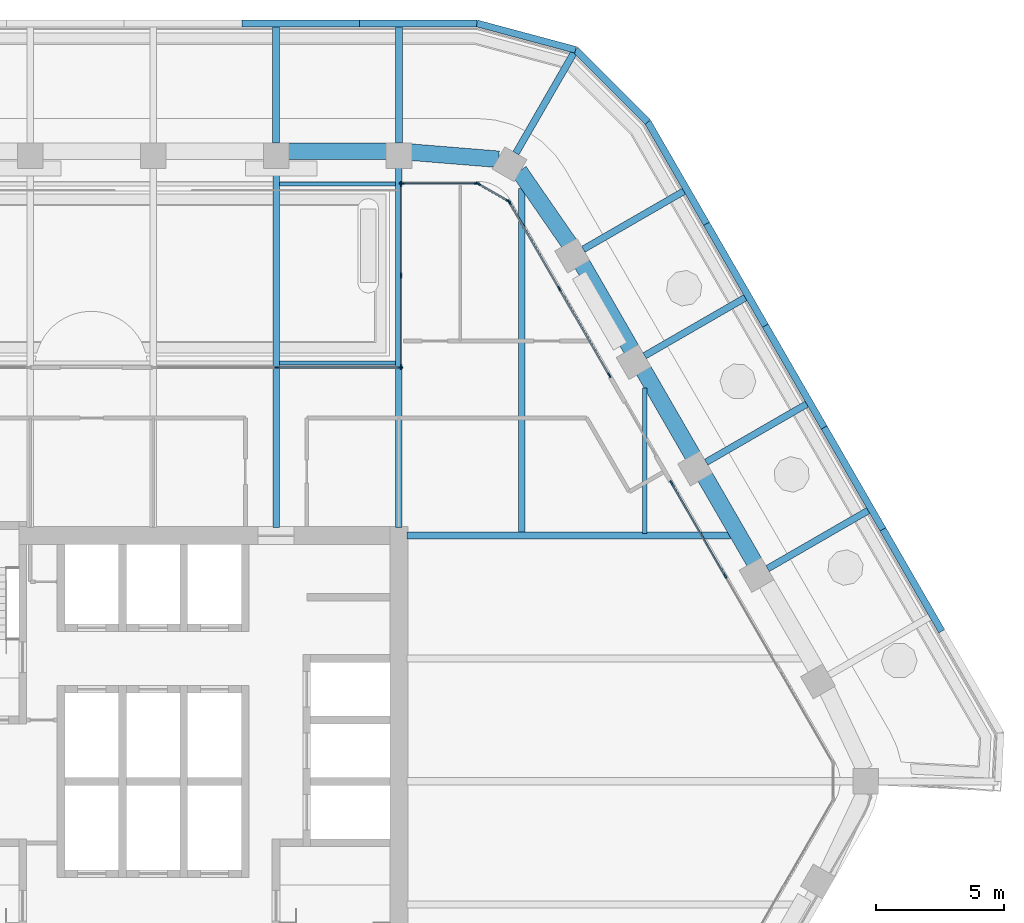
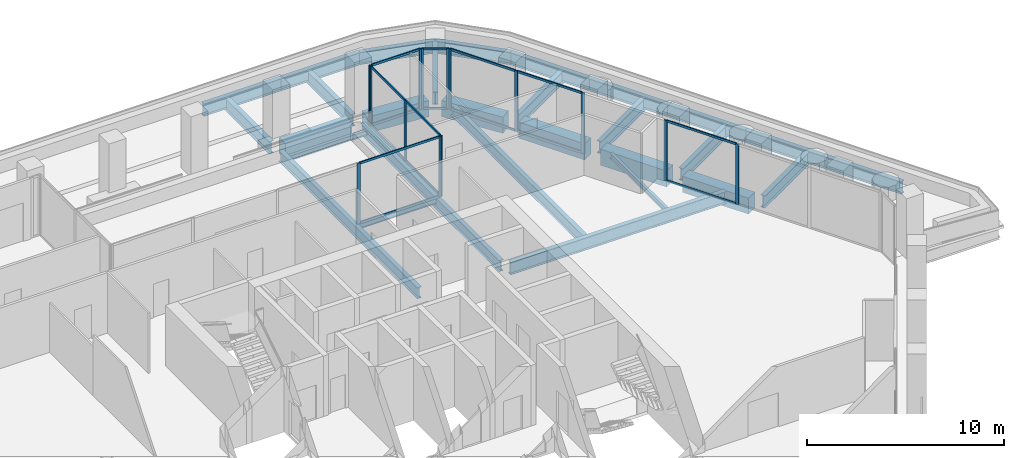
# One storey, part 7 of 17: 30 members, 29 beams, 6 elements without a shape of their own.
"""IFC4 building model written with IfcOpenShell, lengths in metres."""

from ifc_helpers import new_model, si_unit, direction, frame, origin, origin_2d, place, context, subcontext, project, spatial, rectangle, i_section, extrude, material, material_profile, profile_set, type_object, element, aggregate, save


model = new_model("IFC4")

# Units and contexts
model_context = context("Model", 3, precision=1e-05, world=origin(), true_north=direction((0.0, 1.0)))
body_context = subcontext(model_context, "Body", "Model", "MODEL_VIEW")
ifc_project = project(units=[si_unit("LENGTHUNIT", "METRE"), si_unit("AREAUNIT", "SQUARE_METRE"), si_unit("VOLUMEUNIT", "CUBIC_METRE"), si_unit("PLANEANGLEUNIT", "RADIAN"), si_unit("MASSUNIT", "GRAM", prefix="KILO")], contexts=[model_context])

# Site, building, storey
site_placement = place(None, origin())
site = spatial("IfcSite", under=ifc_project, at=site_placement, CompositionType="ELEMENT")
building_placement = place(site_placement, origin())
building = spatial("IfcBuilding", under=site, at=building_placement, Name="Kolab Exchange Tower", CompositionType="ELEMENT")
storey_placement = place(building_placement, frame((0.0, 0.0, 166.10009765625)))
storey = spatial("IfcBuildingStorey", under=building, at=storey_placement, Name="L34", CompositionType="ELEMENT", Elevation=166.10009765625)

# Beams
ifc_material_1 = material(Name="Steel S355", Category="steel")
ifc_material_profile_1 = material_profile(ifc_material_1, i_section(OverallWidth=0.1650390625, OverallDepth=0.31005859375, WebThickness=0.005859375, FlangeThickness=0.009765625, at=origin_2d()), Name="W310X39")
ifc_profile_set_1 = profile_set([ifc_material_profile_1], Name="Steel S355")
beam_type_1 = type_object("IfcBeamType", Name="FLOOR BEAM W310X39", PredefinedType="BEAM", material=ifc_profile_set_1)
for number, where, z_axis, x_axis, name in (
    (1, (4.927001953125, 16.346435546875, -0.30517578125), (1.0, 0.0, 0.0), (0.0, 1.0, 0.0), "beam/L34/fr/021"),
    (2, (4.927001953125, 23.33642578125, -0.30517578125), (1.0, 0.0, 0.0), (0.0, 1.0, 0.0), "beam/L34/fr/022"),
):
    element("IfcBeam", number, at=place(storey_placement, frame(where, z_axis=z_axis, x_axis=x_axis)), inside=storey, type_object=beam_type_1, Name=name, PredefinedType="BEAM", context=body_context, shape_type="SweptSolid", body=[
        extrude(i_section(OverallWidth=0.1650390625, OverallDepth=0.31005859375, WebThickness=0.005859375, FlangeThickness=0.009765625, at=origin_2d()), origin(), (0.0, 0.0, 1.0), 4.5458984375),
    ])
beam_1_placement = place(storey_placement, frame((19.199951171875, 9.693603515625, -0.30517578125), z_axis=(0.0, 1.0, 0.0), x_axis=(-1.0, 0.0, 0.0)))
element("IfcBeam", 3, at=beam_1_placement, inside=storey, type_object=beam_type_1, Name="beam/L34/fr/031", PredefinedType="BEAM", context=body_context, shape_type="SweptSolid", body=[
    extrude(i_section(OverallWidth=0.1650390625, OverallDepth=0.31005859375, WebThickness=0.005859375, FlangeThickness=0.009765625, at=origin_2d()), origin(), (0.0, 0.0, 1.0), 5.674072265625),
])
ifc_material_profile_2 = material_profile(ifc_material_1, i_section(OverallWidth=0.25390625, OverallDepth=0.68408203125, WebThickness=0.012451171875, FlangeThickness=0.018798828125, at=origin_2d()), Name="W690X140")
ifc_profile_set_2 = profile_set([ifc_material_profile_2], Name="Steel S355")
beam_type_2 = type_object("IfcBeamType", Name="FLOOR BEAM W690X140", PredefinedType="BEAM", material=ifc_profile_set_2)
for number, where, z_axis, x_axis, name in (
    (4, (4.800048828125, 9.909912109375, -0.4921875), (0.0, 1.0, 0.0), (-1.0, 0.0, 0.0), "beam/L34/fr/020"),
    (5, (9.60009765625, 9.909912109375, -0.4921875), (0.0, 1.0, 0.0), (-1.0, 0.0, 0.0), "beam/L34/fr/024"),
):
    element("IfcBeam", number, at=place(storey_placement, frame(where, z_axis=z_axis, x_axis=x_axis)), inside=storey, type_object=beam_type_2, Name=name, PredefinedType="BEAM", context=body_context, shape_type="SweptSolid", body=[
        extrude(i_section(OverallWidth=0.25390625, OverallDepth=0.68408203125, WebThickness=0.012451171875, FlangeThickness=0.018798828125, at=origin_2d()), origin(), (0.0, 0.0, 1.0), 14.071533203125),
    ])
beam_2_placement = place(storey_placement, frame((14.39990234375, 9.693603515625, -0.4921875), z_axis=(0.0, 1.0, 0.0), x_axis=(-1.0, 0.0, 0.0)))
element("IfcBeam", 6, at=beam_2_placement, inside=storey, type_object=beam_type_2, Name="beam/L34/fr/029", PredefinedType="BEAM", context=body_context, shape_type="SweptSolid", body=[
    extrude(i_section(OverallWidth=0.25390625, OverallDepth=0.68408203125, WebThickness=0.012451171875, FlangeThickness=0.018798828125, at=origin_2d()), origin(), (0.0, 0.0, 1.0), 13.462158203125),
])
ifc_material_profile_3 = material_profile(ifc_material_1, i_section(OverallWidth=0.26708984375, OverallDepth=0.761962890625, WebThickness=0.014404296875, FlangeThickness=0.021484375, at=origin_2d()), Name="W760X173")
ifc_profile_set_3 = profile_set([ifc_material_profile_3], Name="Steel S355")
beam_type_3 = type_object("IfcBeamType", Name="FLOOR GIRDER W760X173", PredefinedType="BEAM", material=ifc_profile_set_3)
beam_3_placement = place(storey_placement, frame((9.909912109375, 9.60009765625, -0.531005859375), z_axis=(1.0, 0.0, 0.0), x_axis=(0.0, 1.0, 0.0)))
element("IfcBeam", 7, at=beam_3_placement, inside=storey, type_object=beam_type_3, Name="beam/L34/gd/003", PredefinedType="BEAM", context=body_context, shape_type="SweptSolid", body=[
    extrude(i_section(OverallWidth=0.26708984375, OverallDepth=0.761962890625, WebThickness=0.014404296875, FlangeThickness=0.021484375, at=origin_2d()), origin(), (0.0, 0.0, 1.0), 12.636962890625),
])
for number, where, z_axis, x_axis, name in (
    (8, (4.800048828125, 24.94140625, -0.591064453125), (0.0, 1.0, 0.0), (-1.0, 0.0, 0.0), "beam/L34/ledge/rib-04"),
    (9, (9.60009765625, 24.94140625, -0.591064453125), (0.0, 1.0, 0.0), (-1.0, 0.0, 0.0), "beam/L34/ledge/rib-05"),
):
    element("IfcBeam", number, at=place(storey_placement, frame(where, z_axis=z_axis, x_axis=x_axis)), inside=storey, type_object=beam_type_3, Name=name, PredefinedType="BEAM", context=body_context, shape_type="SweptSolid", body=[
        extrude(i_section(OverallWidth=0.26708984375, OverallDepth=0.761962890625, WebThickness=0.014404296875, FlangeThickness=0.021484375, at=origin_2d()), origin(), (0.0, 0.0, 1.0), 4.533203125),
    ])
beam_4_placement = place(storey_placement, frame((14.16796875, 24.53955078125, -0.591064453125), z_axis=(0.499967994467, 0.866043881399, 0.0), x_axis=(-0.866043881399, 0.499967994467, 0.0)))
element("IfcBeam", 10, at=beam_4_placement, inside=storey, type_object=beam_type_3, Name="beam/L34/ledge/rib-06", PredefinedType="BEAM", context=body_context, shape_type="SweptSolid", body=[
    extrude(i_section(OverallWidth=0.26708984375, OverallDepth=0.761962890625, WebThickness=0.014404296875, FlangeThickness=0.021484375, at=origin_2d()), origin(), (0.0, 0.0, 1.0), 4.532958984375),
])
beam_5_placement = place(storey_placement, frame((16.800048828125, 20.78466796875, -0.591064453125), z_axis=(0.866030417568, 0.499991315771, 0.0), x_axis=(-0.499991315771, 0.866030417568, 0.0)))
element("IfcBeam", 11, at=beam_5_placement, inside=storey, type_object=beam_type_3, Name="beam/L34/ledge/rib-07", PredefinedType="BEAM", context=body_context, shape_type="SweptSolid", body=[
    extrude(i_section(OverallWidth=0.26708984375, OverallDepth=0.761962890625, WebThickness=0.014404296875, FlangeThickness=0.021484375, at=origin_2d()), origin(), (0.0, 0.0, 1.0), 4.53271484375),
])
beam_6_placement = place(storey_placement, frame((19.199951171875, 16.627685546875, -0.591064453125), z_axis=(0.866020560687, 0.500008388397, 0.0), x_axis=(-0.500008388397, 0.866020560687, 0.0)))
element("IfcBeam", 12, at=beam_6_placement, inside=storey, type_object=beam_type_3, Name="beam/L34/ledge/rib-08", PredefinedType="BEAM", context=body_context, shape_type="SweptSolid", body=[
    extrude(i_section(OverallWidth=0.26708984375, OverallDepth=0.761962890625, WebThickness=0.014404296875, FlangeThickness=0.021484375, at=origin_2d()), origin(), (0.0, 0.0, 1.0), 4.533203125),
])
beam_7_placement = place(storey_placement, frame((21.60009765625, 12.470703125, -0.591064453125), z_axis=(0.866007095043, 0.500031710329, 0.0), x_axis=(-0.500031710329, 0.866007095043, 0.0)))
element("IfcBeam", 13, at=beam_7_placement, inside=storey, type_object=beam_type_3, Name="beam/L34/ledge/rib-09", PredefinedType="BEAM", context=body_context, shape_type="SweptSolid", body=[
    extrude(i_section(OverallWidth=0.26708984375, OverallDepth=0.761962890625, WebThickness=0.014404296875, FlangeThickness=0.021484375, at=origin_2d()), origin(), (0.0, 0.0, 1.0), 4.532958984375),
])
beam_8_placement = place(storey_placement, frame((24.0, 8.313720703125, -0.591064453125), z_axis=(0.866020560687, 0.500008388397, 0.0), x_axis=(-0.500008388397, 0.866020560687, 0.0)))
element("IfcBeam", 14, at=beam_8_placement, inside=storey, type_object=beam_type_3, Name="beam/L34/ledge/rib-10", PredefinedType="BEAM", context=body_context, shape_type="SweptSolid", body=[
    extrude(i_section(OverallWidth=0.26708984375, OverallDepth=0.761962890625, WebThickness=0.014404296875, FlangeThickness=0.021484375, at=origin_2d()), origin(), (0.0, 0.0, 1.0), 4.533203125),
])
for number, where, z_axis, x_axis, name in (
    (15, (3.462890625, 29.60791015625, -0.591064453125), (1.0, 0.0, 0.0), (0.0, 1.0, 0.0), "beam/L34/ledge/edge-05"),
    (16, (8.056640625, 29.60791015625, -0.591064453125), (1.0, 0.0, 0.0), (0.0, 1.0, 0.0), "beam/L34/ledge/edge-06"),
):
    element("IfcBeam", number, at=place(storey_placement, frame(where, z_axis=z_axis, x_axis=x_axis)), inside=storey, type_object=beam_type_3, Name=name, PredefinedType="BEAM", context=body_context, shape_type="SweptSolid", body=[
        extrude(i_section(OverallWidth=0.26708984375, OverallDepth=0.761962890625, WebThickness=0.014404296875, FlangeThickness=0.021484375, at=origin_2d()), origin(), (0.0, 0.0, 1.0), 4.59375),
    ])
beam_9_placement = place(storey_placement, frame((12.650390625, 29.60791015625, -0.591064453125), z_axis=(0.965936290682, -0.258779988299, 0.0), x_axis=(0.258779988299, 0.965936290682, 0.0)))
element("IfcBeam", 17, at=beam_9_placement, inside=storey, type_object=beam_type_3, Name="beam/L34/ledge/edge-07", PredefinedType="BEAM", context=body_context, shape_type="SweptSolid", body=[
    extrude(i_section(OverallWidth=0.26708984375, OverallDepth=0.761962890625, WebThickness=0.014404296875, FlangeThickness=0.021484375, at=origin_2d()), origin(), (0.0, 0.0, 1.0), 3.984130859375),
])
beam_10_placement = place(storey_placement, frame((16.498779296875, 28.576904296875, -0.591064453125), z_axis=(0.707106781187, -0.707106781187, 0.0), x_axis=(0.707106781187, 0.707106781187, 0.0)))
element("IfcBeam", 18, at=beam_10_placement, inside=storey, type_object=beam_type_3, Name="beam/L34/ledge/edge-08", PredefinedType="BEAM", context=body_context, shape_type="SweptSolid", body=[
    extrude(i_section(OverallWidth=0.26708984375, OverallDepth=0.761962890625, WebThickness=0.014404296875, FlangeThickness=0.021484375, at=origin_2d()), origin(), (0.0, 0.0, 1.0), 3.984375),
])
beam_11_placement = place(storey_placement, frame((19.316162109375, 25.759521484375, -0.591064453125), z_axis=(0.499963222339, -0.866046636336, 0.0), x_axis=(0.866046636336, 0.499963222339, 0.0)))
element("IfcBeam", 19, at=beam_11_placement, inside=storey, type_object=beam_type_3, Name="beam/L34/ledge/edge-09", PredefinedType="BEAM", context=body_context, shape_type="SweptSolid", body=[
    extrude(i_section(OverallWidth=0.26708984375, OverallDepth=0.761962890625, WebThickness=0.014404296875, FlangeThickness=0.021484375, at=origin_2d()), origin(), (0.0, 0.0, 1.0), 4.593505859375),
])
beam_12_placement = place(storey_placement, frame((21.61279296875, 21.78125, -0.591064453125), z_axis=(0.50004294189, -0.866000609853, 0.0), x_axis=(0.866000609853, 0.50004294189, 0.0)))
element("IfcBeam", 20, at=beam_12_placement, inside=storey, type_object=beam_type_3, Name="beam/L34/ledge/edge-10", PredefinedType="BEAM", context=body_context, shape_type="SweptSolid", body=[
    extrude(i_section(OverallWidth=0.26708984375, OverallDepth=0.761962890625, WebThickness=0.014404296875, FlangeThickness=0.021484375, at=origin_2d()), origin(), (0.0, 0.0, 1.0), 4.59375),
])
beam_13_placement = place(storey_placement, frame((23.909912109375, 17.802978515625, -0.591064453125), z_axis=(0.499963222339, -0.866046636336, 0.0), x_axis=(0.866046636336, 0.499963222339, 0.0)))
element("IfcBeam", 21, at=beam_13_placement, inside=storey, type_object=beam_type_3, Name="beam/L34/ledge/edge-11", PredefinedType="BEAM", context=body_context, shape_type="SweptSolid", body=[
    extrude(i_section(OverallWidth=0.26708984375, OverallDepth=0.761962890625, WebThickness=0.014404296875, FlangeThickness=0.021484375, at=origin_2d()), origin(), (0.0, 0.0, 1.0), 4.593505859375),
])
beam_14_placement = place(storey_placement, frame((26.20654296875, 13.82470703125, -0.591064453125), z_axis=(0.500003083703, -0.8660236234, 0.0), x_axis=(0.8660236234, 0.500003083703, 0.0)))
element("IfcBeam", 22, at=beam_14_placement, inside=storey, type_object=beam_type_3, Name="beam/L34/ledge/edge-12", PredefinedType="BEAM", context=body_context, shape_type="SweptSolid", body=[
    extrude(i_section(OverallWidth=0.26708984375, OverallDepth=0.761962890625, WebThickness=0.014404296875, FlangeThickness=0.021484375, at=origin_2d()), origin(), (0.0, 0.0, 1.0), 4.59375),
])
beam_15_placement = place(storey_placement, frame((28.50341796875, 9.846435546875, -0.591064453125), z_axis=(0.500026097828, -0.866010335672, 0.0), x_axis=(0.866010335672, 0.500026097828, 0.0)))
element("IfcBeam", 23, at=beam_15_placement, inside=storey, type_object=beam_type_3, Name="beam/L34/ledge/edge-13", PredefinedType="BEAM", context=body_context, shape_type="SweptSolid", body=[
    extrude(i_section(OverallWidth=0.26708984375, OverallDepth=0.761962890625, WebThickness=0.014404296875, FlangeThickness=0.021484375, at=origin_2d()), origin(), (0.0, 0.0, 1.0), 4.593505859375),
])
ifc_material_2 = material(Name="Concrete C60/75", Category="concrete")
ifc_material_profile_4 = material_profile(ifc_material_2, rectangle(XDim=0.64990234375, YDim=1.0, at=origin_2d()), Name="RC650X1000")
ifc_profile_set_4 = profile_set([ifc_material_profile_4], Name="Concrete C60/75")
beam_type_4 = type_object("IfcBeamType", Name="SPANDREL BEAM 650X1000 C60/75", PredefinedType="BEAM", material=ifc_profile_set_4)
beam_16_placement = place(storey_placement, frame((5.260009765625, 24.616455078125, -0.650146484375), z_axis=(1.0, 0.0, 0.0), x_axis=(0.0, 1.0, 0.0)))
element("IfcBeam", 24, at=beam_16_placement, inside=storey, type_object=beam_type_4, Name="beam/L34/sp/F1-05", PredefinedType="BEAM", context=body_context, shape_type="SweptSolid", body=[
    extrude(rectangle(XDim=0.64990234375, YDim=1.0, at=origin_2d()), origin(), (0.0, 0.0, 1.0), 3.8798828125),
])
for number, where, z_axis, x_axis, name in (
    (25, (10.06005859375, 24.5791015625, -0.650146484375), (0.996708497182, -0.081068931445, 0.0), (0.081068931445, 0.996708497182, 0.0), "beam/L34/sp/F1-06"),
    (26, (14.29736328125, 23.8359375, -0.650146484375), (0.568572281073, -0.822633309073, 0.0), (0.822633309073, 0.568572281073, 0.0), "beam/L34/sp/F2-01"),
):
    element("IfcBeam", number, at=place(storey_placement, frame(where, z_axis=z_axis, x_axis=x_axis)), inside=storey, type_object=beam_type_4, Name=name, PredefinedType="BEAM", context=body_context, shape_type="SweptSolid", body=[
        extrude(rectangle(XDim=0.64990234375, YDim=1.0, at=origin_2d()), origin(), (0.0, 0.0, 1.0), 3.445068359375),
    ])
beam_17_placement = place(storey_placement, frame((16.74853515625, 20.2236328125, -0.650146484375), z_axis=(0.499996613652, -0.866027358884, 0.0), x_axis=(0.866027358884, 0.499996613652, 0.0)))
element("IfcBeam", 27, at=beam_17_placement, inside=storey, type_object=beam_type_4, Name="beam/L34/sp/F2-02", PredefinedType="BEAM", context=body_context, shape_type="SweptSolid", body=[
    extrude(rectangle(XDim=0.64990234375, YDim=1.0, at=origin_2d()), origin(), (0.0, 0.0, 1.0), 3.8798828125),
])
beam_18_placement = place(storey_placement, frame((19.1484375, 16.06689453125, -0.650146484375), z_axis=(0.50001655835, -0.866015843605, 0.0), x_axis=(0.866015843605, 0.50001655835, 0.0)))
element("IfcBeam", 28, at=beam_18_placement, inside=storey, type_object=beam_type_4, Name="beam/L34/sp/F2-03", PredefinedType="BEAM", context=body_context, shape_type="SweptSolid", body=[
    extrude(rectangle(XDim=0.64990234375, YDim=1.0, at=origin_2d()), origin(), (0.0, 0.0, 1.0), 3.880126953125),
])
beam_19_placement = place(storey_placement, frame((21.548583984375, 11.909912109375, -0.650146484375), z_axis=(0.499996613652, -0.866027358884, 0.0), x_axis=(0.866027358884, 0.499996613652, 0.0)))
element("IfcBeam", 29, at=beam_19_placement, inside=storey, type_object=beam_type_4, Name="beam/L34/sp/F2-04", PredefinedType="BEAM", context=body_context, shape_type="SweptSolid", body=[
    extrude(rectangle(XDim=0.64990234375, YDim=1.0, at=origin_2d()), origin(), (0.0, 0.0, 1.0), 3.8798828125),
])

# Curtain wall, members
ifc_material_3 = material(Name="Aluminium EN AW-6063 T6", Category="aluminium")
curtain_wall_type = type_object("IfcCurtainWallType", Name="UNITISED UPPER MID ZONE CURTAIN WALL", PredefinedType="NOTDEFINED", material=ifc_material_3)
curtain_wall_1_placement = place(storey_placement, origin())
curtain_wall_1 = element("IfcCurtainWall", 30, at=curtain_wall_1_placement, inside=storey, type_object=curtain_wall_type, Name="cw/L34/F1-back-2", PredefinedType="NOTDEFINED")
ifc_material_profile_5 = material_profile(ifc_material_3, rectangle(XDim=0.06005859375, YDim=0.199951171875, at=origin_2d()), Name="RECT 60X200")
ifc_profile_set_5 = profile_set([ifc_material_profile_5], Name="Aluminium EN AW-6063 T6")
member_type_1 = type_object("IfcMemberType", Name="UNITISED UPPER MID ZONE MULLION 60 X 200", PredefinedType="MULLION", material=ifc_profile_set_5)
member_1_placement = place(storey_placement, frame((4.840087890625, 16.16162109375, 0.0), z_axis=(0.0, 0.0, 1.0), x_axis=(0.0, 1.0, 0.0)))
member_1 = element("IfcMember", 31, at=member_1_placement, type_object=member_type_1, Name="CW3 mullion 2", PredefinedType="MULLION", context=body_context, shape_type="SweptSolid", body=[
    extrude(rectangle(XDim=0.06005859375, YDim=0.199951171875, at=origin_2d()), origin(), (0.0, 0.0, 1.0), 3.75),
])
member_2_placement = place(storey_placement, frame((9.64990234375, 16.16162109375, 0.0), z_axis=(0.0, 0.0, 1.0), x_axis=(0.0, 1.0, 0.0)))
member_2 = element("IfcMember", 32, at=member_2_placement, type_object=member_type_1, Name="CW3 mullion 3", PredefinedType="MULLION", context=body_context, shape_type="SweptSolid", body=[
    extrude(rectangle(XDim=0.06005859375, YDim=0.199951171875, at=origin_2d()), origin(), (0.0, 0.0, 1.0), 3.75),
])

curtain_wall_2_placement = place(storey_placement, origin())
curtain_wall_2 = element("IfcCurtainWall", 33, at=curtain_wall_2_placement, inside=storey, type_object=curtain_wall_type, Name="cw/L34/F1-rr-1", PredefinedType="NOTDEFINED")
member_3_placement = place(storey_placement, frame((9.679931640625, 16.191650390625, 0.0), z_axis=(0.0, 0.0, 1.0), x_axis=(-1.0, 0.0, 0.0)))
member_3 = element("IfcMember", 34, at=member_3_placement, type_object=member_type_1, Name="CW3 mullion 1", PredefinedType="MULLION", context=body_context, shape_type="SweptSolid", body=[
    extrude(rectangle(XDim=0.06005859375, YDim=0.199951171875, at=origin_2d()), origin(), (0.0, 0.0, 1.0), 3.75),
])
member_4_placement = place(storey_placement, frame((9.679931640625, 19.761474609375, 0.0), z_axis=(0.0, 0.0, 1.0), x_axis=(-1.0, 0.0, 0.0)))
member_4 = element("IfcMember", 35, at=member_4_placement, type_object=member_type_1, Name="CW3 mullion 2", PredefinedType="MULLION", context=body_context, shape_type="SweptSolid", body=[
    extrude(rectangle(XDim=0.06005859375, YDim=0.199951171875, at=origin_2d()), origin(), (0.0, 0.0, 1.0), 3.75),
])
member_5_placement = place(storey_placement, frame((9.679931640625, 23.33154296875, 0.0), z_axis=(0.0, 0.0, 1.0), x_axis=(-1.0, 0.0, 0.0)))
member_5 = element("IfcMember", 36, at=member_5_placement, type_object=member_type_1, Name="CW3 mullion 3", PredefinedType="MULLION", context=body_context, shape_type="SweptSolid", body=[
    extrude(rectangle(XDim=0.06005859375, YDim=0.199951171875, at=origin_2d()), origin(), (0.0, 0.0, 1.0), 3.75),
])

curtain_wall_3_placement = place(storey_placement, origin())
curtain_wall_3 = element("IfcCurtainWall", 37, at=curtain_wall_3_placement, inside=storey, type_object=curtain_wall_type, Name="cw/L34/F1-r-1", PredefinedType="NOTDEFINED")
member_6_placement = place(storey_placement, frame((9.7099609375, 23.361572265625, 0.0), z_axis=(0.0, 0.0, 1.0), x_axis=(0.0, 1.0, 0.0)))
member_6 = element("IfcMember", 38, at=member_6_placement, type_object=member_type_1, Name="CW3 mullion 1", PredefinedType="MULLION", context=body_context, shape_type="SweptSolid", body=[
    extrude(rectangle(XDim=0.06005859375, YDim=0.199951171875, at=origin_2d()), origin(), (0.0, 0.0, 1.0), 3.75),
])
member_7_placement = place(storey_placement, frame((12.637939453125, 23.361572265625, 0.0), z_axis=(0.0, 0.0, 1.0), x_axis=(0.0, 1.0, 0.0)))
member_7 = element("IfcMember", 39, at=member_7_placement, type_object=member_type_1, Name="CW3 mullion 2", PredefinedType="MULLION", context=body_context, shape_type="SweptSolid", body=[
    extrude(rectangle(XDim=0.06005859375, YDim=0.199951171875, at=origin_2d()), origin(), (0.0, 0.0, 1.0), 3.75),
])

curtain_wall_4_placement = place(storey_placement, origin())
curtain_wall_4 = element("IfcCurtainWall", 40, at=curtain_wall_4_placement, inside=storey, type_object=curtain_wall_type, Name="cw/L34/F2-1", PredefinedType="NOTDEFINED")
member_8_placement = place(storey_placement, frame((13.91259765625, 22.62548828125, 0.0), z_axis=(0.0, 0.0, 1.0), x_axis=(0.866025385493, 0.500000031681, 0.0)))
member_8 = element("IfcMember", 41, at=member_8_placement, type_object=member_type_1, Name="CW3 mullion 1", PredefinedType="MULLION", context=body_context, shape_type="SweptSolid", body=[
    extrude(rectangle(XDim=0.06005859375, YDim=0.199951171875, at=origin_2d()), origin(), (0.0, 0.0, 1.0), 3.75),
])
member_9_placement = place(storey_placement, frame((15.86474609375, 19.24462890625, 0.0), z_axis=(0.0, 0.0, 1.0), x_axis=(0.866025385493, 0.500000031681, 0.0)))
member_9 = element("IfcMember", 42, at=member_9_placement, type_object=member_type_1, Name="CW3 mullion 2", PredefinedType="MULLION", context=body_context, shape_type="SweptSolid", body=[
    extrude(rectangle(XDim=0.06005859375, YDim=0.199951171875, at=origin_2d()), origin(), (0.0, 0.0, 1.0), 3.75),
])
member_10_placement = place(storey_placement, frame((17.816650390625, 15.86376953125, 0.0), z_axis=(0.0, 0.0, 1.0), x_axis=(0.866025385493, 0.500000031681, 0.0)))
member_10 = element("IfcMember", 43, at=member_10_placement, type_object=member_type_1, Name="CW3 mullion 3", PredefinedType="MULLION", context=body_context, shape_type="SweptSolid", body=[
    extrude(rectangle(XDim=0.06005859375, YDim=0.199951171875, at=origin_2d()), origin(), (0.0, 0.0, 1.0), 3.75),
])

curtain_wall_5_placement = place(storey_placement, origin())
curtain_wall_5 = element("IfcCurtainWall", 44, at=curtain_wall_5_placement, inside=storey, type_object=curtain_wall_type, Name="cw/L34/F2-2", PredefinedType="NOTDEFINED")
member_11_placement = place(storey_placement, frame((20.24658203125, 11.65478515625, 0.0), z_axis=(0.0, 0.0, 1.0), x_axis=(0.866025427826, 0.499999958358, 0.0)))
member_11 = element("IfcMember", 45, at=member_11_placement, type_object=member_type_1, Name="CW3 mullion 1", PredefinedType="MULLION", context=body_context, shape_type="SweptSolid", body=[
    extrude(rectangle(XDim=0.06005859375, YDim=0.199951171875, at=origin_2d()), origin(), (0.0, 0.0, 1.0), 3.75),
])
member_12_placement = place(storey_placement, frame((22.343017578125, 8.02392578125, 0.0), z_axis=(0.0, 0.0, 1.0), x_axis=(0.866025427826, 0.499999958358, 0.0)))
member_12 = element("IfcMember", 46, at=member_12_placement, type_object=member_type_1, Name="CW3 mullion 2", PredefinedType="MULLION", context=body_context, shape_type="SweptSolid", body=[
    extrude(rectangle(XDim=0.06005859375, YDim=0.199951171875, at=origin_2d()), origin(), (0.0, 0.0, 1.0), 3.75),
])

curtain_wall_6_placement = place(storey_placement, origin())
curtain_wall_6 = element("IfcCurtainWall", 47, at=curtain_wall_6_placement, inside=storey, type_object=curtain_wall_type, Name="cw/L34/F1F2-corner", PredefinedType="NOTDEFINED")
member_13_placement = place(storey_placement, frame((12.69384765625, 23.346435546875, 0.0), z_axis=(0.0, 0.0, 1.0), x_axis=(0.50000002237, 0.866025390869, 0.0)))
member_13 = element("IfcMember", 48, at=member_13_placement, type_object=member_type_1, Name="CW3 mullion 1", PredefinedType="MULLION", context=body_context, shape_type="SweptSolid", body=[
    extrude(rectangle(XDim=0.06005859375, YDim=0.199951171875, at=origin_2d()), origin(), (0.0, 0.0, 1.0), 3.75),
])
member_14_placement = place(storey_placement, frame((13.871826171875, 22.66650390625, 0.0), z_axis=(0.0, 0.0, 1.0), x_axis=(0.50000002237, 0.866025390869, 0.0)))
member_14 = element("IfcMember", 49, at=member_14_placement, type_object=member_type_1, Name="CW3 mullion 2", PredefinedType="MULLION", context=body_context, shape_type="SweptSolid", body=[
    extrude(rectangle(XDim=0.06005859375, YDim=0.199951171875, at=origin_2d()), origin(), (0.0, 0.0, 1.0), 3.75),
])

# Member
ifc_material_profile_6 = material_profile(ifc_material_3, rectangle(XDim=0.06005859375, YDim=0.139892578125, at=origin_2d()), Name="RECT 60X140")
ifc_profile_set_6 = profile_set([ifc_material_profile_6], Name="Aluminium EN AW-6063 T6")
member_type_2 = type_object("IfcMemberType", Name="UNITISED UPPER MID ZONE TRANSOM 60 X 140", PredefinedType="USERDEFINED", material=ifc_profile_set_6)
member_15_placement = place(storey_placement, frame((4.8701171875, 16.16162109375, 0.02978515625), z_axis=(1.0, 0.0, 0.0), x_axis=(0.0, 1.0, 0.0)))
member_15 = element("IfcMember", 50, at=member_15_placement, type_object=member_type_2, Name="CW3 transom 2.1", ObjectType="TRANSOM", PredefinedType="USERDEFINED", context=body_context, shape_type="SweptSolid", body=[
    extrude(rectangle(XDim=0.06005859375, YDim=0.139892578125, at=origin_2d()), origin(), (0.0, 0.0, 1.0), 4.75),
])

member_16_placement = place(storey_placement, frame((4.8701171875, 16.16162109375, 3.719970703125), z_axis=(1.0, 0.0, 0.0), x_axis=(0.0, 1.0, 0.0)))
member_16 = element("IfcMember", 51, at=member_16_placement, type_object=member_type_2, Name="CW3 transom 2.2", ObjectType="TRANSOM", PredefinedType="USERDEFINED", context=body_context, shape_type="SweptSolid", body=[
    extrude(rectangle(XDim=0.06005859375, YDim=0.139892578125, at=origin_2d()), origin(), (0.0, 0.0, 1.0), 4.75),
])

aggregate(curtain_wall_1, [member_1, member_2, member_15, member_16])

member_17_placement = place(storey_placement, frame((9.679931640625, 16.221435546875, 0.02978515625), z_axis=(0.0, 1.0, 0.0), x_axis=(-1.0, 0.0, 0.0)))
member_17 = element("IfcMember", 52, at=member_17_placement, type_object=member_type_2, Name="CW3 transom 1.1", ObjectType="TRANSOM", PredefinedType="USERDEFINED", context=body_context, shape_type="SweptSolid", body=[
    extrude(rectangle(XDim=0.06005859375, YDim=0.139892578125, at=origin_2d()), origin(), (0.0, 0.0, 1.0), 3.510009765625),
])

member_18_placement = place(storey_placement, frame((9.679931640625, 16.221435546875, 3.719970703125), z_axis=(0.0, 1.0, 0.0), x_axis=(-1.0, 0.0, 0.0)))
member_18 = element("IfcMember", 53, at=member_18_placement, type_object=member_type_2, Name="CW3 transom 1.2", ObjectType="TRANSOM", PredefinedType="USERDEFINED", context=body_context, shape_type="SweptSolid", body=[
    extrude(rectangle(XDim=0.06005859375, YDim=0.139892578125, at=origin_2d()), origin(), (0.0, 0.0, 1.0), 3.510009765625),
])

member_19_placement = place(storey_placement, frame((9.679931640625, 19.79150390625, 0.02978515625), z_axis=(0.0, 1.0, 0.0), x_axis=(-1.0, 0.0, 0.0)))
member_19 = element("IfcMember", 54, at=member_19_placement, type_object=member_type_2, Name="CW3 transom 2.1", ObjectType="TRANSOM", PredefinedType="USERDEFINED", context=body_context, shape_type="SweptSolid", body=[
    extrude(rectangle(XDim=0.06005859375, YDim=0.139892578125, at=origin_2d()), origin(), (0.0, 0.0, 1.0), 3.510009765625),
])

member_20_placement = place(storey_placement, frame((9.679931640625, 19.79150390625, 3.719970703125), z_axis=(0.0, 1.0, 0.0), x_axis=(-1.0, 0.0, 0.0)))
member_20 = element("IfcMember", 55, at=member_20_placement, type_object=member_type_2, Name="CW3 transom 2.2", ObjectType="TRANSOM", PredefinedType="USERDEFINED", context=body_context, shape_type="SweptSolid", body=[
    extrude(rectangle(XDim=0.06005859375, YDim=0.139892578125, at=origin_2d()), origin(), (0.0, 0.0, 1.0), 3.510009765625),
])

aggregate(curtain_wall_2, [member_3, member_4, member_5, member_17, member_18, member_19, member_20])

member_21_placement = place(storey_placement, frame((9.739990234375, 23.361572265625, 0.02978515625), z_axis=(1.0, 0.0, 0.0), x_axis=(0.0, 1.0, 0.0)))
member_21 = element("IfcMember", 56, at=member_21_placement, type_object=member_type_2, Name="CW3 transom 1.1", ObjectType="TRANSOM", PredefinedType="USERDEFINED", context=body_context, shape_type="SweptSolid", body=[
    extrude(rectangle(XDim=0.06005859375, YDim=0.139892578125, at=origin_2d()), origin(), (0.0, 0.0, 1.0), 2.867919921875),
])

member_22_placement = place(storey_placement, frame((9.739990234375, 23.361572265625, 3.719970703125), z_axis=(1.0, 0.0, 0.0), x_axis=(0.0, 1.0, 0.0)))
member_22 = element("IfcMember", 57, at=member_22_placement, type_object=member_type_2, Name="CW3 transom 1.2", ObjectType="TRANSOM", PredefinedType="USERDEFINED", context=body_context, shape_type="SweptSolid", body=[
    extrude(rectangle(XDim=0.06005859375, YDim=0.139892578125, at=origin_2d()), origin(), (0.0, 0.0, 1.0), 2.867919921875),
])

aggregate(curtain_wall_3, [member_6, member_7, member_21, member_22])

member_23_placement = place(storey_placement, frame((13.927734375, 22.599609375, 0.02978515625), z_axis=(0.499964356602, -0.866045981532, 0.0), x_axis=(0.866045981532, 0.499964356602, 0.0)))
member_23 = element("IfcMember", 58, at=member_23_placement, type_object=member_type_2, Name="CW3 transom 1.1", ObjectType="TRANSOM", PredefinedType="USERDEFINED", context=body_context, shape_type="SweptSolid", body=[
    extrude(rectangle(XDim=0.06005859375, YDim=0.139892578125, at=origin_2d()), origin(), (0.0, 0.0, 1.0), 3.843994140625),
])

member_24_placement = place(storey_placement, frame((13.927734375, 22.599609375, 3.719970703125), z_axis=(0.499964356602, -0.866045981532, 0.0), x_axis=(0.866045981532, 0.499964356602, 0.0)))
member_24 = element("IfcMember", 59, at=member_24_placement, type_object=member_type_2, Name="CW3 transom 1.2", ObjectType="TRANSOM", PredefinedType="USERDEFINED", context=body_context, shape_type="SweptSolid", body=[
    extrude(rectangle(XDim=0.06005859375, YDim=0.139892578125, at=origin_2d()), origin(), (0.0, 0.0, 1.0), 3.843994140625),
])

member_25_placement = place(storey_placement, frame((15.879638671875, 19.21875, 0.02978515625), z_axis=(0.500011990396, -0.866018481016, 0.0), x_axis=(0.866018481016, 0.500011990396, 0.0)))
member_25 = element("IfcMember", 60, at=member_25_placement, type_object=member_type_2, Name="CW3 transom 2.1", ObjectType="TRANSOM", PredefinedType="USERDEFINED", context=body_context, shape_type="SweptSolid", body=[
    extrude(rectangle(XDim=0.06005859375, YDim=0.139892578125, at=origin_2d()), origin(), (0.0, 0.0, 1.0), 3.84423828125),
])

member_26_placement = place(storey_placement, frame((15.879638671875, 19.21875, 3.719970703125), z_axis=(0.500011990396, -0.866018481016, 0.0), x_axis=(0.866018481016, 0.500011990396, 0.0)))
member_26 = element("IfcMember", 61, at=member_26_placement, type_object=member_type_2, Name="CW3 transom 2.2", ObjectType="TRANSOM", PredefinedType="USERDEFINED", context=body_context, shape_type="SweptSolid", body=[
    extrude(rectangle(XDim=0.06005859375, YDim=0.139892578125, at=origin_2d()), origin(), (0.0, 0.0, 1.0), 3.84423828125),
])

aggregate(curtain_wall_4, [member_8, member_9, member_10, member_23, member_24, member_25, member_26])

member_27_placement = place(storey_placement, frame((20.26171875, 11.62890625, 0.02978515625), z_axis=(0.500001996123, -0.866024251319, 0.0), x_axis=(0.866024251319, 0.500001996123, 0.0)))
member_27 = element("IfcMember", 62, at=member_27_placement, type_object=member_type_2, Name="CW3 transom 1.1", ObjectType="TRANSOM", PredefinedType="USERDEFINED", context=body_context, shape_type="SweptSolid", body=[
    extrude(rectangle(XDim=0.06005859375, YDim=0.139892578125, at=origin_2d()), origin(), (0.0, 0.0, 1.0), 4.1328125),
])

member_28_placement = place(storey_placement, frame((20.26171875, 11.62890625, 3.719970703125), z_axis=(0.500001996123, -0.866024251319, 0.0), x_axis=(0.866024251319, 0.500001996123, 0.0)))
member_28 = element("IfcMember", 63, at=member_28_placement, type_object=member_type_2, Name="CW3 transom 1.2", ObjectType="TRANSOM", PredefinedType="USERDEFINED", context=body_context, shape_type="SweptSolid", body=[
    extrude(rectangle(XDim=0.06005859375, YDim=0.139892578125, at=origin_2d()), origin(), (0.0, 0.0, 1.0), 4.1328125),
])

aggregate(curtain_wall_5, [member_11, member_12, member_27, member_28])

member_29_placement = place(storey_placement, frame((12.719970703125, 23.33154296875, 0.02978515625), z_axis=(0.86603858612, -0.49997716683, 0.0), x_axis=(0.49997716683, 0.86603858612, 0.0)))
member_29 = element("IfcMember", 64, at=member_29_placement, type_object=member_type_2, Name="CW3 transom 1.1", ObjectType="TRANSOM", PredefinedType="USERDEFINED", context=body_context, shape_type="SweptSolid", body=[
    extrude(rectangle(XDim=0.06005859375, YDim=0.139892578125, at=origin_2d()), origin(), (0.0, 0.0, 1.0), 1.2998046875),
])

member_30_placement = place(storey_placement, frame((12.719970703125, 23.33154296875, 3.719970703125), z_axis=(0.86603858612, -0.49997716683, 0.0), x_axis=(0.49997716683, 0.86603858612, 0.0)))
member_30 = element("IfcMember", 65, at=member_30_placement, type_object=member_type_2, Name="CW3 transom 1.2", ObjectType="TRANSOM", PredefinedType="USERDEFINED", context=body_context, shape_type="SweptSolid", body=[
    extrude(rectangle(XDim=0.06005859375, YDim=0.139892578125, at=origin_2d()), origin(), (0.0, 0.0, 1.0), 1.2998046875),
])

aggregate(curtain_wall_6, [member_13, member_14, member_29, member_30])

save(model, "model.ifc")
